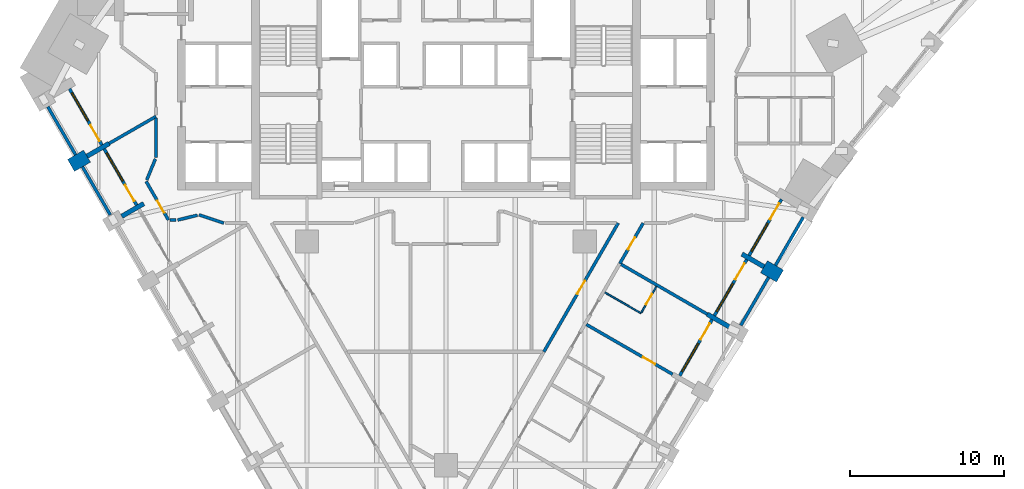
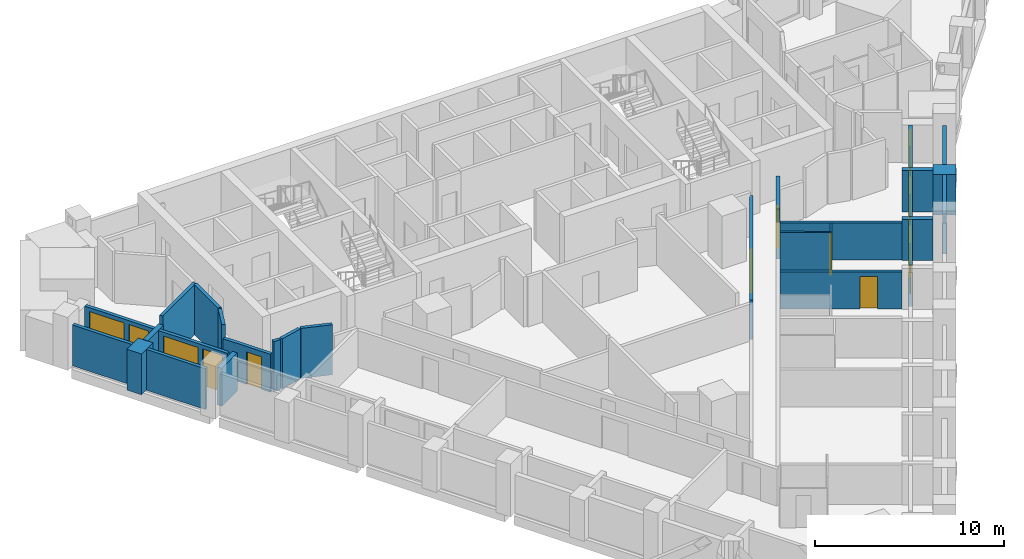
# One storey, part 5 of 11: 28 walls, 10 doors, 5 windows, 15 openings.
"""IFC4 building model written with IfcOpenShell, lengths in metres."""

import ifcopenshell
import ifcopenshell.guid

model = None  # the IFC model being written
_history = None  # IfcOwnerHistory: only IFC2X3 demands one
_inside = {}  # id of a spatial element -> (the spatial element, [elements in it])
_under = {}  # id of a project, library or spatial element -> (it, [spatial elements below it])
_declared = {}  # id of a project -> (the project, [libraries it declares])
_typed = {}  # id of a type object -> (the type object, [elements of that type])
_made_of = {}  # id of a material, layer set ... -> (it, [elements and type objects made of it])


def new_model(schema):
    """Start an empty IFC model of exactly this schema.

    Asked for "IFC4X3", IfcOpenShell would pick the latest addendum, in which some entities
    have other attributes; the version numbers below select the first issue.
    IFC2X3 requires an IfcOwnerHistory on every rooted entity: one is made here for all.
    """
    global model, _history
    if schema == "IFC4X3":
        model = ifcopenshell.file(schema_version=(4, 3, 0, 0))
    else:
        model = ifcopenshell.file(schema=schema)
    _inside.clear()
    _under.clear()
    _declared.clear()
    _typed.clear()
    _made_of.clear()
    _history = None
    if model.schema == "IFC2X3":
        org = make("IfcOrganization", Name="unknown")
        user = make(
            "IfcPersonAndOrganization",
            ThePerson=make("IfcPerson", FamilyName="unknown"),
            TheOrganization=org,
        )
        app = make(
            "IfcApplication",
            ApplicationDeveloper=org,
            Version="unknown",
            ApplicationFullName="unknown",
            ApplicationIdentifier="unknown",
        )
        _history = make(
            "IfcOwnerHistory",
            OwningUser=user,
            OwningApplication=app,
            ChangeAction="ADDED",
            CreationDate=0,
        )
    return model


def make(cls, **values):
    """One entity of the class cls with the attributes given. An attribute that is None is left unset."""
    return model.create_entity(
        cls, **{name: value for name, value in values.items() if value is not None}
    )


def rooted(cls, **values):
    """An entity with a GlobalId (a new one), such as an element, a storey or a relation."""
    return make(cls, GlobalId=ifcopenshell.guid.new(), OwnerHistory=_history, **values)


def si_unit(unit_type, name, prefix=None):
    """IfcSIUnit, for example si_unit("LENGTHUNIT", "METRE", prefix="MILLI")."""
    return make("IfcSIUnit", UnitType=unit_type, Prefix=prefix, Name=name)


def assignment(units):
    """IfcUnitAssignment: the units of a project."""
    return None if units is None else make("IfcUnitAssignment", Units=units)


def point(xyz):
    """IfcCartesianPoint."""
    return None if xyz is None else make("IfcCartesianPoint", Coordinates=xyz)


def direction(xyz):
    """IfcDirection."""
    return None if xyz is None else make("IfcDirection", DirectionRatios=xyz)


def frame(location, z_axis=None, x_axis=None):
    """IfcAxis2Placement3D, a coordinate frame: its origin and axes. An axis left out is left unset."""
    return make(
        "IfcAxis2Placement3D",
        Location=point(location),
        Axis=direction(z_axis),
        RefDirection=direction(x_axis),
    )


def frame_2d(location, x_axis=None):
    """IfcAxis2Placement2D, a coordinate frame in the plane: its origin and x axis."""
    return make(
        "IfcAxis2Placement2D", Location=point(location), RefDirection=direction(x_axis)
    )


def origin():
    """The frame at (0, 0, 0) with its axes left unset."""
    return frame((0.0, 0.0, 0.0))


def place(relative_to, where):
    """IfcLocalPlacement: puts the frame where relative to a parent placement (None: the world)."""
    return make(
        "IfcLocalPlacement", PlacementRelTo=relative_to, RelativePlacement=where
    )


def context(
    kind, dimensions, precision=None, world=None, true_north=None, identifier=None
):
    """IfcGeometricRepresentationContext, for example the 3D "Model" context."""
    return make(
        "IfcGeometricRepresentationContext",
        ContextIdentifier=identifier,
        ContextType=kind,
        CoordinateSpaceDimension=dimensions,
        Precision=precision,
        WorldCoordinateSystem=world,
        TrueNorth=true_north,
    )


def subcontext(parent, identifier, kind, view, scale=None):
    """IfcGeometricRepresentationSubContext, for example "Body" below "Model"."""
    return make(
        "IfcGeometricRepresentationSubContext",
        ContextIdentifier=identifier,
        ContextType=kind,
        ParentContext=parent,
        TargetScale=scale,
        TargetView=view,
    )


def project(units=None, contexts=None):
    """IfcProject with its units and contexts."""
    return rooted(
        "IfcProject",
        Name="project",
        RepresentationContexts=contexts,
        UnitsInContext=assignment(units),
    )


def spatial(cls, under=None, at=None, **own):
    """A site, building, storey or space (cls), placed at a placement, below another one or the project."""
    s = rooted(cls, ObjectPlacement=at, **own)
    if under is not None:
        _under.setdefault(under.id(), (under, []))[1].append(s)
    return s


def polyline(points):
    """IfcPolyline through the points."""
    return make("IfcPolyline", Points=[point(p) for p in points])


def profile(cls, at=None, kind="AREA", **sizes):
    """A parametric profile (cls). Its sizes go by their IFC names, for example OverallWidth=200.0."""
    return make(cls, ProfileType=kind, Position=at, **sizes)


def rectangle(**sizes):
    """IfcRectangleProfileDef."""
    return profile("IfcRectangleProfileDef", **sizes)


def outline(outer, holes=None, kind="AREA"):
    """IfcArbitraryClosedProfileDef: a profile drawn as a closed curve; with holes, ...WithVoids."""
    if holes is None:
        return make("IfcArbitraryClosedProfileDef", ProfileType=kind, OuterCurve=outer)
    return make(
        "IfcArbitraryProfileDefWithVoids",
        ProfileType=kind,
        OuterCurve=outer,
        InnerCurves=holes,
    )


def extrude(swept, where, along, depth):
    """IfcExtrudedAreaSolid: the profile swept, set in the frame where, extruded along a direction by depth."""
    return make(
        "IfcExtrudedAreaSolid",
        SweptArea=swept,
        Position=where,
        ExtrudedDirection=direction(along),
        Depth=depth,
    )


def shape(context_of_items, identifier, shape_type, items):
    """IfcShapeRepresentation: the items that make up one representation, for example the "Body"."""
    return make(
        "IfcShapeRepresentation",
        ContextOfItems=context_of_items,
        RepresentationIdentifier=identifier,
        RepresentationType=shape_type,
        Items=items,
    )


def material(Name=None, Category=None):
    """IfcMaterial."""
    return make("IfcMaterial", Name=Name, Category=Category)


def layer(
    of_material, thickness, ventilated=None, Name=None, Category=None, Priority=None
):
    """IfcMaterialLayer: one layer of a wall or slab, of a material (None: an air gap)."""
    return make(
        "IfcMaterialLayer",
        Material=of_material,
        LayerThickness=thickness,
        IsVentilated=ventilated,
        Name=Name,
        Category=Category,
        Priority=Priority,
    )


def layer_set(layers, Name=None):
    """IfcMaterialLayerSet."""
    return make("IfcMaterialLayerSet", MaterialLayers=layers, LayerSetName=Name)


def made_of(thing, what):
    """Note that an element or type object is made of a material, layer set ...; save() writes the relation."""
    if what is not None:
        _made_of.setdefault(what.id(), (what, []))[1].append(thing)
    return thing


def type_object(cls, material=None, **own):
    """A type object (cls), such as IfcWallType, which elements share."""
    return made_of(rooted(cls, **own), material)


def element(
    cls,
    number,
    at=None,
    inside=None,
    cuts=None,
    type_object=None,
    material=None,
    context=None,
    identifier="Body",
    shape_type=None,
    held_by="IfcProductDefinitionShape",
    body=None,
    shapes=None,
    **own,
):
    """One element of the class cls, such as IfcWall. Its Tag is "e" and its number.

    at: its placement. inside: the storey or other place that contains it. cuts: it is an
    opening in that element (IfcRelVoidsElement). A single representation is given by context,
    identifier, shape_type and body (its items); several are given by shapes. held_by: the class
    of the entity that holds the representations. save() writes the other relations.
    """
    e = rooted(cls, Tag="e%d" % number, ObjectPlacement=at, **own)
    if body is not None:
        shapes = [shape(context, identifier, shape_type, body)]
    if shapes is not None:
        e.Representation = make(held_by, Representations=shapes)
    if inside is not None:
        _inside.setdefault(inside.id(), (inside, []))[1].append(e)
    if cuts is not None:
        rooted(
            "IfcRelVoidsElement", RelatingBuildingElement=cuts, RelatedOpeningElement=e
        )
    if type_object is not None:
        _typed.setdefault(type_object.id(), (type_object, []))[1].append(e)
    return made_of(e, material)


def fill(opening, filler):
    """IfcRelFillsElement: the door or window that sits in an opening."""
    return rooted(
        "IfcRelFillsElement",
        RelatingOpeningElement=opening,
        RelatedBuildingElement=filler,
    )


def aggregate(whole, parts):
    """IfcRelAggregates: a whole, such as a stair, and the parts it consists of."""
    return rooted("IfcRelAggregates", RelatingObject=whole, RelatedObjects=parts)


def save(model, path):
    """Write the relations noted so far, then the file.

    IfcRelAggregates (storeys below a building ...), IfcRelContainedInSpatialStructure (elements
    in a storey), IfcRelDefinesByType, IfcRelAssociatesMaterial and IfcRelDeclares: one each for
    every whole, place, type object, material and project.
    """
    for whole, parts in _under.values():
        aggregate(whole, parts)
    for where, things in _inside.values():
        rooted(
            "IfcRelContainedInSpatialStructure",
            RelatedElements=things,
            RelatingStructure=where,
        )
    for kind, things in _typed.values():
        rooted("IfcRelDefinesByType", RelatedObjects=things, RelatingType=kind)
    for what, things in _made_of.values():
        rooted("IfcRelAssociatesMaterial", RelatedObjects=things, RelatingMaterial=what)
    for by, libraries in _declared.values():
        rooted("IfcRelDeclares", RelatingContext=by, RelatedDefinitions=libraries)
    model.write(path)


model = new_model("IFC4")

# Units and contexts
model_context = context("Model", 3, precision=1e-05, world=origin(), true_north=direction((0.0, 1.0)))
body_context = subcontext(model_context, "Body", "Model", "MODEL_VIEW")
ifc_project = project(units=[si_unit("LENGTHUNIT", "METRE"), si_unit("AREAUNIT", "SQUARE_METRE"), si_unit("VOLUMEUNIT", "CUBIC_METRE"), si_unit("PLANEANGLEUNIT", "RADIAN"), si_unit("MASSUNIT", "GRAM", prefix="KILO")], contexts=[model_context])

# Site, building, storey
site_placement = place(None, origin())
site = spatial("IfcSite", under=ifc_project, at=site_placement, CompositionType="ELEMENT")
building_placement = place(site_placement, origin())
building = spatial("IfcBuilding", under=site, at=building_placement, Name="Calabash Gate Tower", CompositionType="ELEMENT")
storey_placement = place(building_placement, frame((0.0, 0.0, 119.0)))
storey = spatial("IfcBuildingStorey", under=building, at=storey_placement, Name="L27", CompositionType="ELEMENT", Elevation=119.0)

# Walls
ifc_material_1 = material(Name="Terracotta brick masonry, exposed face", Category="masonry")
ifc_layer_1 = layer(ifc_material_1, 1.199951171875)
ifc_layer_set_1 = layer_set([ifc_layer_1], Name="Brick end wall 1200")
wall_type_1 = type_object("IfcWallType", Name="Brick end wall 1200", PredefinedType="SOLIDWALL", material=ifc_layer_set_1)
for number, where, z_axis, x_axis, name in (
    (1, (-24.30859375, 7.43896484375, 0.0), (0.0, 0.0, 1.0), (0.865955154139, 0.50012165622, 0.0), "Brick pier S07 SW0.1"),
    (2, (21.656494140625, 0.27197265625, 0.0), (0.0, 0.0, 1.0), (-0.866094119867, 0.499880961361, 0.0), "Brick pier S07 SE2.7"),
):
    element("IfcWall", number, at=place(storey_placement, frame(where, z_axis=z_axis, x_axis=x_axis)), inside=storey, type_object=wall_type_1, Name=name, PredefinedType="SOLIDWALL", context=body_context, shape_type="SweptSolid", body=[
        extrude(rectangle(XDim=1.199951171875, YDim=0.89990234375, at=frame_2d((0.60009765625, 0.0))), origin(), (0.0, 0.0, 1.0), 2.6298828125),
    ])
ifc_material_2 = material(Name="Terracotta brick masonry, exposed face", Category="masonry")
ifc_layer_2 = layer(ifc_material_2, 0.300048828125)
ifc_layer_set_2 = layer_set([ifc_layer_2], Name="Brick loggia cheek wall 300")
wall_type_2 = type_object("IfcWallType", Name="Brick loggia cheek wall 300", PredefinedType="SOLIDWALL", material=ifc_layer_set_2)
wall_1_placement = place(storey_placement, frame((-23.26953125, 8.0390625, 0.0), z_axis=(0.0, 0.0, 1.0), x_axis=(0.866040211805, 0.499974350878, 0.0)))
element("IfcWall", 3, at=wall_1_placement, inside=storey, type_object=wall_type_2, Name="Loggia cheek S07 SW0.1", PredefinedType="SOLIDWALL", context=body_context, shape_type="SweptSolid", body=[
    extrude(rectangle(XDim=1.64990234375, YDim=0.300048828125, at=frame_2d((0.824951171875, 0.0))), origin(), (0.0, 0.0, 1.0), 2.64990234375),
])
wall_2_placement = place(storey_placement, frame((-21.019287109375, 4.141845703125, 0.0), z_axis=(0.0, 0.0, 1.0), x_axis=(0.866003217194, 0.500038426333, 0.0)))
element("IfcWall", 4, at=wall_2_placement, inside=storey, type_object=wall_type_2, Name="Loggia cheek S07 SW0.2", PredefinedType="SOLIDWALL", context=body_context, shape_type="SweptSolid", body=[
    extrude(rectangle(XDim=1.649658203125, YDim=0.300048828125, at=frame_2d((0.82470703125, 0.0))), origin(), (0.0, 0.0, 1.0), 2.4501953125),
])
wall_3_placement = place(storey_placement, frame((18.366455078125, -3.024658203125, 0.0), z_axis=(0.0, 0.0, 1.0), x_axis=(-0.866057395165, 0.499944585209, 0.0)))
element("IfcWall", 5, at=wall_3_placement, inside=storey, type_object=wall_type_2, Name="Loggia cheek S07 SE2.6", PredefinedType="SOLIDWALL", context=body_context, shape_type="SweptSolid", body=[
    extrude(rectangle(XDim=1.649169921875, YDim=0.300048828125, at=frame_2d((0.82470703125, 0.0))), origin(), (0.0, 0.0, 1.0), 2.64990234375),
])
wall_4_placement = place(storey_placement, frame((20.6171875, 0.871826171875, 0.0), z_axis=(0.0, 0.0, 1.0), x_axis=(-0.866040211805, 0.499974350878, 0.0)))
element("IfcWall", 6, at=wall_4_placement, inside=storey, type_object=wall_type_2, Name="Loggia cheek S07 SE2.7", PredefinedType="SOLIDWALL", context=body_context, shape_type="SweptSolid", body=[
    extrude(rectangle(XDim=1.64990234375, YDim=0.300048828125, at=frame_2d((0.824951171875, 0.0))), origin(), (0.0, 0.0, 1.0), 2.64990234375),
])

# Wall, opening, door
ifc_material_3 = material(Name="Gypsum board on steel studs, mineral wool", Category="steel")
ifc_layer_3 = layer(ifc_material_3, 0.10009765625)
ifc_layer_set_3 = layer_set([ifc_layer_3], Name="Partition 100 gypsum board")
wall_type_3 = type_object("IfcWallType", Name="Partition 100 gypsum board", PredefinedType="PARTITIONING", material=ifc_layer_set_3)
wall_5_placement = place(storey_placement, frame((12.665771484375, -2.1005859375, 0.0), z_axis=(0.0, 0.0, 1.0), x_axis=(0.49995005938, 0.866054235095, 0.0)))
wall_5 = element("IfcWall", 7, at=wall_5_placement, inside=storey, type_object=wall_type_3, Name="Partition", PredefinedType="PARTITIONING", context=body_context, shape_type="SweptSolid", body=[
    extrude(rectangle(XDim=1.949951171875, YDim=0.10009765625, at=frame_2d((0.97509765625, 0.0))), origin(), (0.0, 0.0, 1.0), 2.384033203125),
])
opening_1_placement = place(wall_5_placement, frame((0.60009765625, 0.0, 0.0)))
opening_1 = element("IfcOpeningElement", 8, at=opening_1_placement, cuts=wall_5, Name="Opening 25-27-009", PredefinedType="OPENING", context=body_context, shape_type="SweptSolid", body=[
    extrude(rectangle(XDim=0.800048828125, YDim=2.10009765625, at=frame_2d((0.39990234375, 1.050048828125))), frame((0.0, 0.06005859375, 0.0), z_axis=(0.0, -1.0, 0.0), x_axis=(1.0, 0.0, 0.0)), (0.0, 0.0, 1.0), 0.1201171875),
])
ifc_material_4 = material(Name="Painted timber door", Category="wood")
door_type_1 = type_object("IfcDoorType", Name="GD5 En-suite door 800x2100", OperationType="NOTDEFINED", PredefinedType="DOOR", material=ifc_material_4)
door_1_placement = place(opening_1_placement, origin())
door_1 = element("IfcDoor", 9, at=door_1_placement, inside=storey, type_object=door_type_1, Name="En-suite door", OperationType="SINGLE_SWING_RIGHT", OverallHeight=2.10009765625, OverallWidth=0.800048828125, PredefinedType="DOOR", context=body_context, shape_type="SweptSolid", body=[
    extrude(rectangle(XDim=0.800048828125, YDim=2.10009765625, at=frame_2d((0.39990234375, 1.050048828125))), frame((0.0, 0.02490234375, 0.0), z_axis=(0.0, -1.0, 0.0), x_axis=(1.0, 0.0, 0.0)), (0.0, 0.0, 1.0), 0.050048828125),
])
fill(opening_1, door_1)

# Wall
wall_6_placement = place(storey_placement, frame((10.303466796875, -0.79248046875, 0.0), z_axis=(0.0, 0.0, 1.0), x_axis=(0.86571095196, -0.500544251447, 0.0)))
element("IfcWall", 10, at=wall_6_placement, inside=storey, type_object=wall_type_3, Name="Partition", PredefinedType="PARTITIONING", context=body_context, shape_type="SweptSolid", body=[
    extrude(rectangle(XDim=2.69970703125, YDim=0.10009765625, at=frame_2d((1.349853515625, 0.0))), origin(), (0.0, 0.0, 1.0), 3.22998046875),
])

# Wall, opening, door
ifc_material_5 = material(Name="Gypsum board on steel studs, mineral wool", Category="steel")
ifc_layer_4 = layer(ifc_material_5, 0.199951171875)
ifc_layer_set_4 = layer_set([ifc_layer_4], Name="Partition 200 gypsum board EI 60")
wall_type_4 = type_object("IfcWallType", Name="Partition 200 gypsum board EI 60", PredefinedType="PARTITIONING", material=ifc_layer_set_4)
wall_7_placement = place(storey_placement, frame((6.347900390625, -4.639404296875, 0.0), z_axis=(0.0, 0.0, 1.0), x_axis=(0.500160597015, 0.865932663198, 0.0)))
wall_7 = element("IfcWall", 11, at=wall_7_placement, inside=storey, type_object=wall_type_4, Name="Partition", PredefinedType="PARTITIONING", context=body_context, shape_type="SweptSolid", body=[
    extrude(rectangle(XDim=9.630126953125, YDim=0.199951171875, at=frame_2d((4.81494140625, 0.0))), origin(), (0.0, 0.0, 1.0), 2.552001953125),
])
opening_2_placement = place(wall_7_placement, frame((4.314697265625, 0.0, 0.0)))
opening_2 = element("IfcOpeningElement", 12, at=opening_2_placement, cuts=wall_7, Name="Opening 25-27-013", PredefinedType="OPENING", context=body_context, shape_type="SweptSolid", body=[
    extrude(rectangle(XDim=1.0, YDim=2.10009765625, at=frame_2d((0.5, 1.050048828125))), frame((0.0, 0.10986328125, 0.0), z_axis=(0.0, -1.0, 0.0), x_axis=(1.0, 0.0, 0.0)), (0.0, 0.0, 1.0), 0.219970703125),
])
ifc_material_6 = material(Name="Steel fire door set with fire-resisting glazing", Category="steel")
door_type_2 = type_object("IfcDoorType", Name="LD2 Meeting room door 1000x2100", OperationType="NOTDEFINED", PredefinedType="DOOR", material=ifc_material_6)
door_2_placement = place(opening_2_placement, origin())
door_2 = element("IfcDoor", 13, at=door_2_placement, inside=storey, type_object=door_type_2, Name="Meeting room door", OperationType="SINGLE_SWING_LEFT", OverallHeight=2.10009765625, OverallWidth=1.0, PredefinedType="DOOR", context=body_context, shape_type="SweptSolid", body=[
    extrude(rectangle(XDim=1.0, YDim=2.10009765625, at=frame_2d((0.5, 1.050048828125))), frame((0.0, 0.02490234375, 0.0), z_axis=(0.0, -1.0, 0.0), x_axis=(1.0, 0.0, 0.0)), (0.0, 0.0, 1.0), 0.050048828125),
])
fill(opening_2, door_2)

wall_8_placement = place(storey_placement, frame((9.103515625, -2.870849609375, 0.0), z_axis=(0.0, 0.0, 1.0), x_axis=(0.865901871826, -0.500213902613, 0.0)))
wall_8 = element("IfcWall", 14, at=wall_8_placement, inside=storey, type_object=wall_type_4, Name="Partition", PredefinedType="PARTITIONING", context=body_context, shape_type="SweptSolid", body=[
    extrude(rectangle(XDim=6.449951171875, YDim=0.199951171875, at=frame_2d((3.22509765625, 0.0))), origin(), (0.0, 0.0, 1.0), 2.384033203125),
])
opening_3_placement = place(wall_8_placement, frame((4.249755859375, 0.0, 0.0)))
opening_3 = element("IfcOpeningElement", 15, at=opening_3_placement, cuts=wall_8, Name="Opening 25-27-010", PredefinedType="OPENING", context=body_context, shape_type="SweptSolid", body=[
    extrude(rectangle(XDim=0.89990234375, YDim=2.10009765625, at=frame_2d((0.449951171875, 1.050048828125))), frame((0.0, 0.10986328125, 0.0), z_axis=(0.0, -1.0, 0.0), x_axis=(1.0, 0.0, 0.0)), (0.0, 0.0, 1.0), 0.219970703125),
])
ifc_material_7 = material(Name="Steel fire door set with fire-resisting glazing", Category="steel")
door_type_3 = type_object("IfcDoorType", Name="GD4 Connecting door 900x2100", OperationType="NOTDEFINED", PredefinedType="DOOR", material=ifc_material_7)
door_3_placement = place(opening_3_placement, origin())
door_3 = element("IfcDoor", 16, at=door_3_placement, inside=storey, type_object=door_type_3, Name="Connecting door", OperationType="SINGLE_SWING_RIGHT", OverallHeight=2.10009765625, OverallWidth=0.89990234375, PredefinedType="DOOR", context=body_context, shape_type="SweptSolid", body=[
    extrude(rectangle(XDim=0.89990234375, YDim=2.10009765625, at=frame_2d((0.449951171875, 1.050048828125))), frame((0.0, 0.02490234375, 0.0), z_axis=(0.0, -1.0, 0.0), x_axis=(1.0, 0.0, 0.0)), (0.0, 0.0, 1.0), 0.050048828125),
])
fill(opening_3, door_3)

# Walls
wall_9_placement = place(storey_placement, frame((11.355224609375, 1.025390625, 0.0), z_axis=(0.0, 0.0, 1.0), x_axis=(0.865748417306, -0.500479448062, 0.0)))
element("IfcWall", 17, at=wall_9_placement, inside=storey, type_object=wall_type_4, Name="Partition", PredefinedType="PARTITIONING", context=body_context, shape_type="SweptSolid", body=[
    extrude(rectangle(XDim=6.447998046875, YDim=0.199951171875, at=frame_2d((3.22412109375, 0.0))), origin(), (0.0, 0.0, 1.0), 2.384033203125),
])
wall_10_placement = place(storey_placement, frame((-16.01611328125, 4.23828125, 0.0), z_axis=(0.0, 0.0, 1.0), x_axis=(0.948654629562, -0.31631375849, 0.0)))
element("IfcWall", 18, at=wall_10_placement, inside=storey, type_object=wall_type_4, Name="Partition", PredefinedType="PARTITIONING", context=body_context, shape_type="SweptSolid", body=[
    extrude(rectangle(XDim=1.703369140625, YDim=0.199951171875, at=frame_2d((0.8515625, 0.0))), origin(), (0.0, 0.0, 1.0), 3.22998046875),
])

# Wall, opening, door
wall_11_placement = place(storey_placement, frame((11.2685546875, 1.075439453125, 0.0), z_axis=(0.0, 0.0, 1.0), x_axis=(0.499554983499, 0.866282181775, 0.0)))
wall_11 = element("IfcWall", 19, at=wall_11_placement, inside=storey, type_object=wall_type_4, Name="Partition", PredefinedType="PARTITIONING", context=body_context, shape_type="SweptSolid", body=[
    extrude(rectangle(XDim=3.029052734375, YDim=0.199951171875, at=frame_2d((1.5146484375, 0.0))), origin(), (0.0, 0.0, 1.0), 3.22998046875),
])
opening_4_placement = place(wall_11_placement, frame((1.063720703125, 0.0, 0.0)))
opening_4 = element("IfcOpeningElement", 20, at=opening_4_placement, cuts=wall_11, Name="Opening 25-27-025", PredefinedType="OPENING", context=body_context, shape_type="SweptSolid", body=[
    extrude(rectangle(XDim=0.89990234375, YDim=2.10009765625, at=frame_2d((0.449951171875, 1.050048828125))), frame((0.0, 0.10986328125, 0.0), z_axis=(0.0, -1.0, 0.0), x_axis=(1.0, 0.0, 0.0)), (0.0, 0.0, 1.0), 0.219970703125),
])
ifc_material_8 = material(Name="Steel fire door set with fire-resisting glazing", Category="steel")
door_type_4 = type_object("IfcDoorType", Name="SD3 Store door 900x2100", OperationType="NOTDEFINED", PredefinedType="DOOR", material=ifc_material_8)
door_4_placement = place(opening_4_placement, origin())
door_4 = element("IfcDoor", 21, at=door_4_placement, inside=storey, type_object=door_type_4, Name="Store door", OperationType="SINGLE_SWING_RIGHT", OverallHeight=2.10009765625, OverallWidth=0.89990234375, PredefinedType="DOOR", context=body_context, shape_type="SweptSolid", body=[
    extrude(rectangle(XDim=0.89990234375, YDim=2.10009765625, at=frame_2d((0.449951171875, 1.050048828125))), frame((0.0, 0.02490234375, 0.0), z_axis=(0.0, -1.0, 0.0), x_axis=(1.0, 0.0, 0.0)), (0.0, 0.0, 1.0), 0.050048828125),
])
fill(opening_4, door_4)

wall_12_placement = place(storey_placement, frame((-19.438720703125, 6.403076171875, 0.0), z_axis=(0.0, 0.0, 1.0), x_axis=(0.500017289984, -0.866015421177, 0.0)))
wall_12 = element("IfcWall", 22, at=wall_12_placement, inside=storey, type_object=wall_type_4, Name="Partition", PredefinedType="PARTITIONING", context=body_context, shape_type="SweptSolid", body=[
    extrude(rectangle(XDim=2.89111328125, YDim=0.199951171875, at=frame_2d((1.445556640625, 0.0))), origin(), (0.0, 0.0, 1.0), 2.4501953125),
])
opening_5_placement = place(wall_12_placement, frame((1.445556640625, 0.0, 0.0)))
opening_5 = element("IfcOpeningElement", 23, at=opening_5_placement, cuts=wall_12, Name="Opening 25-27-023", PredefinedType="OPENING", context=body_context, shape_type="SweptSolid", body=[
    extrude(rectangle(XDim=0.89990234375, YDim=2.10009765625, at=frame_2d((0.449951171875, 1.050048828125))), frame((0.0, 0.10986328125, 0.0), z_axis=(0.0, -1.0, 0.0), x_axis=(1.0, 0.0, 0.0)), (0.0, 0.0, 1.0), 0.219970703125),
])
door_5_placement = place(opening_5_placement, origin())
door_5 = element("IfcDoor", 24, at=door_5_placement, inside=storey, type_object=door_type_4, Name="Store door", OperationType="SINGLE_SWING_RIGHT", OverallHeight=2.10009765625, OverallWidth=0.89990234375, PredefinedType="DOOR", context=body_context, shape_type="SweptSolid", body=[
    extrude(rectangle(XDim=0.89990234375, YDim=2.10009765625, at=frame_2d((0.449951171875, 1.050048828125))), frame((0.0, 0.02490234375, 0.0), z_axis=(0.0, -1.0, 0.0), x_axis=(1.0, 0.0, 0.0)), (0.0, 0.0, 1.0), 0.050048828125),
])
fill(opening_5, door_5)

# Walls
wall_13_placement = place(storey_placement, frame((-17.893310546875, 3.8994140625, 0.0), z_axis=(0.0, 0.0, 1.0), x_axis=(1.0, 0.0, 0.0)))
element("IfcWall", 25, at=wall_13_placement, inside=storey, type_object=wall_type_4, Name="Partition", PredefinedType="PARTITIONING", context=body_context, shape_type="SweptSolid", body=[
    extrude(rectangle(XDim=0.393310546875, YDim=0.199951171875, at=frame_2d((0.19677734375, 0.0))), origin(), (0.0, 0.0, 1.0), 3.22998046875),
])
wall_14_placement = place(storey_placement, frame((-17.39990234375, 3.8994140625, 0.0), z_axis=(0.0, 0.0, 1.0), x_axis=(0.971323377413, 0.237762268854, 0.0)))
element("IfcWall", 26, at=wall_14_placement, inside=storey, type_object=wall_type_4, Name="Partition", PredefinedType="PARTITIONING", context=body_context, shape_type="SweptSolid", body=[
    extrude(rectangle(XDim=1.32470703125, YDim=0.199951171875, at=frame_2d((0.662353515625, 0.0))), origin(), (0.0, 0.0, 1.0), 3.22998046875),
])
wall_15_placement = place(storey_placement, frame((-19.400390625, 6.49560546875, 0.0), z_axis=(0.0, 0.0, 1.0), x_axis=(0.380699876076, 0.924698655971, 0.0)))
element("IfcWall", 27, at=wall_15_placement, inside=storey, type_object=wall_type_4, Name="Partition", PredefinedType="PARTITIONING", context=body_context, shape_type="SweptSolid", body=[
    extrude(rectangle(XDim=1.4755859375, YDim=0.199951171875, at=frame_2d((0.73779296875, 0.0))), origin(), (0.0, 0.0, 1.0), 3.22998046875),
])
wall_16_placement = place(storey_placement, frame((-18.802001953125, 10.51806640625, 0.0), z_axis=(0.0, 0.0, 1.0), x_axis=(0.000570993436, -0.999999836983, 0.0)))
element("IfcWall", 28, at=wall_16_placement, inside=storey, type_object=wall_type_4, Name="Partition", PredefinedType="PARTITIONING", context=body_context, shape_type="SweptSolid", body=[
    extrude(rectangle(XDim=2.5654296875, YDim=0.199951171875, at=frame_2d((1.28271484375, 0.0))), origin(), (0.0, 0.0, 1.0), 3.22998046875),
])
wall_17_placement = place(storey_placement, frame((-21.84033203125, 8.86376953125, 0.0), z_axis=(0.0, 0.0, 1.0), x_axis=(0.866284025074, 0.499551787007, 0.0)))
element("IfcWall", 29, at=wall_17_placement, inside=storey, type_object=wall_type_4, Name="Partition", PredefinedType="PARTITIONING", context=body_context, shape_type="SweptSolid", body=[
    extrude(rectangle(XDim=3.509033203125, YDim=0.199951171875, at=frame_2d((1.75439453125, 0.0))), origin(), (0.0, 0.0, 1.0), 3.22998046875),
])
ifc_material_9 = material(Name="Terracotta brick masonry, perforated", Category="masonry")
ifc_layer_5 = layer(ifc_material_9, 0.199951171875)
ifc_layer_set_5 = layer_set([ifc_layer_5], Name="Terracotta jaali screen A")
wall_type_5 = type_object("IfcWallType", Name="Terracotta jaali screen A", PredefinedType="SOLIDWALL", material=ifc_layer_set_5)
for number, where, z_axis, x_axis, name in (
    (30, (-25.81396484375, 11.246337890625, 0.0), (0.0, 0.0, 1.0), (0.500012057535, -0.866018442252, 0.0), "SCREEN A S07 SW0.1"),
    (31, (-23.56396484375, 7.34912109375, 0.0), (0.0, 0.0, 1.0), (0.500012057535, -0.866018442252, 0.0), "SCREEN A S07 SW0.2"),
):
    element("IfcWall", number, at=place(storey_placement, frame(where, z_axis=z_axis, x_axis=x_axis)), inside=storey, type_object=wall_type_5, Name=name, PredefinedType="SOLIDWALL", context=body_context, shape_type="SweptSolid", body=[
        extrude(rectangle(XDim=3.60009765625, YDim=0.199951171875, at=frame_2d((1.800048828125, 0.0))), origin(), (0.0, 0.0, 1.0), 2.6298828125),
    ])
wall_18_placement = place(storey_placement, origin())
element("IfcWall", 32, at=wall_18_placement, inside=storey, type_object=wall_type_5, Name="SCREEN A S07 SE2.7", PredefinedType="SOLIDWALL", context=body_context, shape_type="SweptSolid", body=[
    extrude(outline(polyline([(20.8251953125, 0.232177734375), (19.0263671875, -2.8837890625), (19.199462890625, -2.98388671875), (20.99853515625, 0.132080078125), (20.8251953125, 0.232177734375)])), origin(), (0.0, 0.0, 1.0), 2.6298828125),
])
wall_19_placement = place(storey_placement, frame((21.36181640625, 0.961669921875, 0.0), z_axis=(0.0, 0.0, 1.0), x_axis=(0.500012057535, 0.866018442252, 0.0)))
element("IfcWall", 33, at=wall_19_placement, inside=storey, type_object=wall_type_5, Name="SCREEN A S07 SE2.8", PredefinedType="SOLIDWALL", context=body_context, shape_type="SweptSolid", body=[
    extrude(rectangle(XDim=3.60009765625, YDim=0.199951171875, at=frame_2d((1.800048828125, 0.0))), origin(), (0.0, 0.0, 1.0), 2.6298828125),
])

# Wall, openings, door, window
ifc_material_10 = material(Name="Aluminium framed window wall with insulated spandrel", Category="aluminium")
ifc_layer_6 = layer(ifc_material_10, 0.199951171875)
ifc_layer_set_6 = layer_set([ifc_layer_6], Name="Window wall 200")
wall_type_6 = type_object("IfcWallType", Name="Window wall 200", PredefinedType="ELEMENTEDWALL", material=ifc_layer_set_6)
wall_20_placement = place(storey_placement, frame((-24.4052734375, 12.40625, 0.0), z_axis=(0.0, 0.0, 1.0), x_axis=(0.500002543286, -0.866023935413, 0.0)))
wall_20 = element("IfcWall", 34, at=wall_20_placement, inside=storey, type_object=wall_type_6, Name="Window wall S07 SW0.1", PredefinedType="ELEMENTEDWALL", context=body_context, shape_type="SweptSolid", body=[
    extrude(rectangle(XDim=4.2001953125, YDim=0.199951171875, at=frame_2d((2.10009765625, 0.0))), origin(), (0.0, 0.0, 1.0), 2.64990234375),
])
opening_6_placement = place(wall_20_placement, frame((0.300048828125, 0.0, 0.60009765625)))
opening_6 = element("IfcOpeningElement", 35, at=opening_6_placement, cuts=wall_20, Name="Opening HW1", PredefinedType="OPENING", context=body_context, shape_type="SweptSolid", body=[
    extrude(rectangle(XDim=2.10009765625, YDim=1.800048828125, at=frame_2d((1.050048828125, 0.89990234375))), frame((0.0, 0.10986328125, 0.0), z_axis=(0.0, -1.0, 0.0), x_axis=(1.0, 0.0, 0.0)), (0.0, 0.0, 1.0), 0.219970703125),
])
opening_7_placement = place(wall_20_placement, frame((2.699951171875, 0.0, 0.0)))
opening_7 = element("IfcOpeningElement", 36, at=opening_7_placement, cuts=wall_20, Name="Opening H7-024", PredefinedType="OPENING", context=body_context, shape_type="SweptSolid", body=[
    extrude(rectangle(XDim=1.199951171875, YDim=2.39990234375, at=frame_2d((0.60009765625, 1.199951171875))), frame((0.0, 0.10986328125, 0.0), z_axis=(0.0, -1.0, 0.0), x_axis=(1.0, 0.0, 0.0)), (0.0, 0.0, 1.0), 0.219970703125),
])
ifc_material_11 = material(Name="Anodised aluminium frame, bronze finish, impact-rated laminated clear glazing", Category="aluminium")
door_type_5 = type_object("IfcDoorType", Name="Loggia door DH1 1200x2400", OperationType="SLIDING_TO_LEFT", PredefinedType="DOOR", material=ifc_material_11)
door_6_placement = place(opening_7_placement, origin())
door_6 = element("IfcDoor", 37, at=door_6_placement, inside=storey, type_object=door_type_5, Name="Loggia door S07 SW0.1", OperationType="SINGLE_SWING_LEFT", OverallHeight=2.39990234375, OverallWidth=1.199951171875, PredefinedType="DOOR", context=body_context, shape_type="SweptSolid", body=[
    extrude(rectangle(XDim=1.199951171875, YDim=2.39990234375, at=frame_2d((0.60009765625, 1.199951171875))), frame((0.0, 0.02490234375, 0.0), z_axis=(0.0, -1.0, 0.0), x_axis=(1.0, 0.0, 0.0)), (0.0, 0.0, 1.0), 0.050048828125),
])
fill(opening_7, door_6)
ifc_material_12 = material(Name="Anodised aluminium frame, bronze finish, impact-rated laminated clear glazing", Category="aluminium")
window_type_1 = type_object("IfcWindowType", Name="Window HW1 2100x1800", PartitioningType="DOUBLE_PANEL_VERTICAL", PredefinedType="WINDOW", material=ifc_material_12)
window_1_placement = place(opening_6_placement, origin())
window_1 = element("IfcWindow", 38, at=window_1_placement, inside=storey, type_object=window_type_1, Name="Window HW1 S07 SW0.1", OverallHeight=1.800048828125, OverallWidth=2.10009765625, PartitioningType="SINGLE_PANEL", PredefinedType="WINDOW", context=body_context, shape_type="SweptSolid", body=[
    extrude(rectangle(XDim=2.10009765625, YDim=1.800048828125, at=frame_2d((1.050048828125, 0.89990234375))), frame((0.0, 0.030029296875, 0.0), z_axis=(0.0, -1.0, 0.0), x_axis=(1.0, 0.0, 0.0)), (0.0, 0.0, 1.0), 0.06005859375),
])
fill(opening_6, window_1)

wall_21_placement = place(storey_placement, frame((-22.1552734375, 8.509033203125, 0.0), z_axis=(0.0, 0.0, 1.0), x_axis=(0.500027713859, -0.866009402589, 0.0)))
wall_21 = element("IfcWall", 39, at=wall_21_placement, inside=storey, type_object=wall_type_6, Name="Window wall S07 SW0.2", PredefinedType="ELEMENTEDWALL", context=body_context, shape_type="SweptSolid", body=[
    extrude(rectangle(XDim=4.199951171875, YDim=0.199951171875, at=frame_2d((2.10009765625, 0.0))), origin(), (0.0, 0.0, 1.0), 2.64990234375),
])
opening_8_placement = place(wall_21_placement, frame((0.300048828125, 0.0, 0.60009765625)))
opening_8 = element("IfcOpeningElement", 40, at=opening_8_placement, cuts=wall_21, Name="Opening HW1", PredefinedType="OPENING", context=body_context, shape_type="SweptSolid", body=[
    extrude(rectangle(XDim=2.10009765625, YDim=1.800048828125, at=frame_2d((1.050048828125, 0.89990234375))), frame((0.0, 0.10986328125, 0.0), z_axis=(0.0, -1.0, 0.0), x_axis=(1.0, 0.0, 0.0)), (0.0, 0.0, 1.0), 0.219970703125),
])
opening_9_placement = place(wall_21_placement, frame((2.699951171875, 0.0, 0.0)))
opening_9 = element("IfcOpeningElement", 41, at=opening_9_placement, cuts=wall_21, Name="Opening H7-025", PredefinedType="OPENING", context=body_context, shape_type="SweptSolid", body=[
    extrude(rectangle(XDim=1.199951171875, YDim=2.39990234375, at=frame_2d((0.60009765625, 1.199951171875))), frame((0.0, 0.10986328125, 0.0), z_axis=(0.0, -1.0, 0.0), x_axis=(1.0, 0.0, 0.0)), (0.0, 0.0, 1.0), 0.219970703125),
])
door_7_placement = place(opening_9_placement, origin())
door_7 = element("IfcDoor", 42, at=door_7_placement, inside=storey, type_object=door_type_5, Name="Loggia door S07 SW0.2", OperationType="SINGLE_SWING_LEFT", OverallHeight=2.39990234375, OverallWidth=1.199951171875, PredefinedType="DOOR", context=body_context, shape_type="SweptSolid", body=[
    extrude(rectangle(XDim=1.199951171875, YDim=2.39990234375, at=frame_2d((0.60009765625, 1.199951171875))), frame((0.0, 0.02490234375, 0.0), z_axis=(0.0, -1.0, 0.0), x_axis=(1.0, 0.0, 0.0)), (0.0, 0.0, 1.0), 0.050048828125),
])
fill(opening_9, door_7)
window_2_placement = place(opening_8_placement, origin())
window_2 = element("IfcWindow", 43, at=window_2_placement, inside=storey, type_object=window_type_1, Name="Window HW1 S07 SW0.2", OverallHeight=1.800048828125, OverallWidth=2.10009765625, PartitioningType="SINGLE_PANEL", PredefinedType="WINDOW", context=body_context, shape_type="SweptSolid", body=[
    extrude(rectangle(XDim=2.10009765625, YDim=1.800048828125, at=frame_2d((1.050048828125, 0.89990234375))), frame((0.0, 0.030029296875, 0.0), z_axis=(0.0, -1.0, 0.0), x_axis=(1.0, 0.0, 0.0)), (0.0, 0.0, 1.0), 0.06005859375),
])
fill(opening_8, window_2)

wall_22_placement = place(storey_placement, frame((15.153076171875, -6.1923828125, 0.0), z_axis=(0.0, 0.0, 1.0), x_axis=(0.49998411664, 0.866034573852, 0.0)))
wall_22 = element("IfcWall", 44, at=wall_22_placement, inside=storey, type_object=wall_type_6, Name="Window wall S07 SE2.6", PredefinedType="ELEMENTEDWALL", context=body_context, shape_type="SweptSolid", body=[
    extrude(rectangle(XDim=4.199951171875, YDim=0.199951171875, at=frame_2d((2.10009765625, 0.0))), origin(), (0.0, 0.0, 1.0), 2.64990234375),
])
opening_10_placement = place(wall_22_placement, frame((0.300048828125, 0.0, 0.60009765625)))
opening_10 = element("IfcOpeningElement", 45, at=opening_10_placement, cuts=wall_22, Name="Opening HW1", PredefinedType="OPENING", context=body_context, shape_type="SweptSolid", body=[
    extrude(rectangle(XDim=2.10009765625, YDim=1.800048828125, at=frame_2d((1.050048828125, 0.89990234375))), frame((0.0, 0.10986328125, 0.0), z_axis=(0.0, -1.0, 0.0), x_axis=(1.0, 0.0, 0.0)), (0.0, 0.0, 1.0), 0.219970703125),
])
opening_11_placement = place(wall_22_placement, frame((2.699951171875, 0.0, 0.0)))
opening_11 = element("IfcOpeningElement", 46, at=opening_11_placement, cuts=wall_22, Name="Opening H7-021", PredefinedType="OPENING", context=body_context, shape_type="SweptSolid", body=[
    extrude(rectangle(XDim=1.199951171875, YDim=2.39990234375, at=frame_2d((0.60009765625, 1.199951171875))), frame((0.0, 0.10986328125, 0.0), z_axis=(0.0, -1.0, 0.0), x_axis=(1.0, 0.0, 0.0)), (0.0, 0.0, 1.0), 0.219970703125),
])
door_8_placement = place(opening_11_placement, origin())
door_8 = element("IfcDoor", 47, at=door_8_placement, inside=storey, type_object=door_type_5, Name="Loggia door S07 SE2.6", OperationType="SINGLE_SWING_LEFT", OverallHeight=2.39990234375, OverallWidth=1.199951171875, PredefinedType="DOOR", context=body_context, shape_type="SweptSolid", body=[
    extrude(rectangle(XDim=1.199951171875, YDim=2.39990234375, at=frame_2d((0.60009765625, 1.199951171875))), frame((0.0, 0.02490234375, 0.0), z_axis=(0.0, -1.0, 0.0), x_axis=(1.0, 0.0, 0.0)), (0.0, 0.0, 1.0), 0.050048828125),
])
fill(opening_11, door_8)
window_3_placement = place(opening_10_placement, origin())
window_3 = element("IfcWindow", 48, at=window_3_placement, inside=storey, type_object=window_type_1, Name="Window HW1 S07 SE2.6", OverallHeight=1.800048828125, OverallWidth=2.10009765625, PartitioningType="SINGLE_PANEL", PredefinedType="WINDOW", context=body_context, shape_type="SweptSolid", body=[
    extrude(rectangle(XDim=2.10009765625, YDim=1.800048828125, at=frame_2d((1.050048828125, 0.89990234375))), frame((0.0, 0.030029296875, 0.0), z_axis=(0.0, -1.0, 0.0), x_axis=(1.0, 0.0, 0.0)), (0.0, 0.0, 1.0), 0.06005859375),
])
fill(opening_10, window_3)

wall_23_placement = place(storey_placement, frame((17.403076171875, -2.29541015625, 0.0), z_axis=(0.0, 0.0, 1.0), x_axis=(0.499958946799, 0.866049104564, 0.0)))
wall_23 = element("IfcWall", 49, at=wall_23_placement, inside=storey, type_object=wall_type_6, Name="Window wall S07 SE2.7", PredefinedType="ELEMENTEDWALL", context=body_context, shape_type="SweptSolid", body=[
    extrude(rectangle(XDim=4.199951171875, YDim=0.199951171875, at=frame_2d((2.10009765625, 0.0))), origin(), (0.0, 0.0, 1.0), 2.64990234375),
])
opening_12_placement = place(wall_23_placement, frame((0.300048828125, 0.0, 0.60009765625)))
opening_12 = element("IfcOpeningElement", 50, at=opening_12_placement, cuts=wall_23, Name="Opening HW1", PredefinedType="OPENING", context=body_context, shape_type="SweptSolid", body=[
    extrude(rectangle(XDim=2.10009765625, YDim=1.800048828125, at=frame_2d((1.050048828125, 0.89990234375))), frame((0.0, 0.10986328125, 0.0), z_axis=(0.0, -1.0, 0.0), x_axis=(1.0, 0.0, 0.0)), (0.0, 0.0, 1.0), 0.219970703125),
])
opening_13_placement = place(wall_23_placement, frame((2.699951171875, 0.0, 0.0)))
opening_13 = element("IfcOpeningElement", 51, at=opening_13_placement, cuts=wall_23, Name="Opening H7-022", PredefinedType="OPENING", context=body_context, shape_type="SweptSolid", body=[
    extrude(rectangle(XDim=1.199951171875, YDim=2.39990234375, at=frame_2d((0.60009765625, 1.199951171875))), frame((0.0, 0.10986328125, 0.0), z_axis=(0.0, -1.0, 0.0), x_axis=(1.0, 0.0, 0.0)), (0.0, 0.0, 1.0), 0.219970703125),
])
door_9_placement = place(opening_13_placement, origin())
door_9 = element("IfcDoor", 52, at=door_9_placement, inside=storey, type_object=door_type_5, Name="Loggia door S07 SE2.7", OperationType="SINGLE_SWING_LEFT", OverallHeight=2.39990234375, OverallWidth=1.199951171875, PredefinedType="DOOR", context=body_context, shape_type="SweptSolid", body=[
    extrude(rectangle(XDim=1.199951171875, YDim=2.39990234375, at=frame_2d((0.60009765625, 1.199951171875))), frame((0.0, 0.02490234375, 0.0), z_axis=(0.0, -1.0, 0.0), x_axis=(1.0, 0.0, 0.0)), (0.0, 0.0, 1.0), 0.050048828125),
])
fill(opening_13, door_9)
window_4_placement = place(opening_12_placement, origin())
window_4 = element("IfcWindow", 53, at=window_4_placement, inside=storey, type_object=window_type_1, Name="Window HW1 S07 SE2.7", OverallHeight=1.800048828125, OverallWidth=2.10009765625, PartitioningType="SINGLE_PANEL", PredefinedType="WINDOW", context=body_context, shape_type="SweptSolid", body=[
    extrude(rectangle(XDim=2.10009765625, YDim=1.800048828125, at=frame_2d((1.050048828125, 0.89990234375))), frame((0.0, 0.030029296875, 0.0), z_axis=(0.0, -1.0, 0.0), x_axis=(1.0, 0.0, 0.0)), (0.0, 0.0, 1.0), 0.06005859375),
])
fill(opening_12, window_4)

wall_24_placement = place(storey_placement, frame((19.653076171875, 1.601806640625, 0.0), z_axis=(0.0, 0.0, 1.0), x_axis=(0.49998411664, 0.866034573852, 0.0)))
wall_24 = element("IfcWall", 54, at=wall_24_placement, inside=storey, type_object=wall_type_6, Name="Window wall S07 SE2.8", PredefinedType="ELEMENTEDWALL", context=body_context, shape_type="SweptSolid", body=[
    extrude(rectangle(XDim=4.199951171875, YDim=0.199951171875, at=frame_2d((2.10009765625, 0.0))), origin(), (0.0, 0.0, 1.0), 2.4501953125),
])
opening_14_placement = place(wall_24_placement, frame((0.300048828125, 0.0, 0.60009765625)))
opening_14 = element("IfcOpeningElement", 55, at=opening_14_placement, cuts=wall_24, Name="Opening HW1L-1750", PredefinedType="OPENING", context=body_context, shape_type="SweptSolid", body=[
    extrude(rectangle(XDim=2.10009765625, YDim=1.75, at=frame_2d((1.050048828125, 0.875))), frame((0.0, 0.10986328125, 0.0), z_axis=(0.0, -1.0, 0.0), x_axis=(1.0, 0.0, 0.0)), (0.0, 0.0, 1.0), 0.219970703125),
])
opening_15_placement = place(wall_24_placement, frame((2.699951171875, 0.0, 0.0)))
opening_15 = element("IfcOpeningElement", 56, at=opening_15_placement, cuts=wall_24, Name="Opening H7-023", PredefinedType="OPENING", context=body_context, shape_type="SweptSolid", body=[
    extrude(rectangle(XDim=1.199951171875, YDim=2.35009765625, at=frame_2d((0.60009765625, 1.175048828125))), frame((0.0, 0.10986328125, 0.0), z_axis=(0.0, -1.0, 0.0), x_axis=(1.0, 0.0, 0.0)), (0.0, 0.0, 1.0), 0.219970703125),
])
ifc_material_13 = material(Name="Anodised aluminium frame, bronze finish, impact-rated laminated clear glazing", Category="aluminium")
door_type_6 = type_object("IfcDoorType", Name="Loggia door DH1L-2350 1200x2350", OperationType="SLIDING_TO_LEFT", PredefinedType="DOOR", material=ifc_material_13)
door_10_placement = place(opening_15_placement, origin())
door_10 = element("IfcDoor", 57, at=door_10_placement, inside=storey, type_object=door_type_6, Name="Loggia door S07 SE2.8", OperationType="SINGLE_SWING_LEFT", OverallHeight=2.35009765625, OverallWidth=1.199951171875, PredefinedType="DOOR", context=body_context, shape_type="SweptSolid", body=[
    extrude(rectangle(XDim=1.199951171875, YDim=2.35009765625, at=frame_2d((0.60009765625, 1.175048828125))), frame((0.0, 0.02490234375, 0.0), z_axis=(0.0, -1.0, 0.0), x_axis=(1.0, 0.0, 0.0)), (0.0, 0.0, 1.0), 0.050048828125),
])
fill(opening_15, door_10)
ifc_material_14 = material(Name="Anodised aluminium frame, bronze finish, impact-rated laminated clear glazing", Category="aluminium")
window_type_2 = type_object("IfcWindowType", Name="Window HW1L 2100x1750", PartitioningType="DOUBLE_PANEL_VERTICAL", PredefinedType="WINDOW", material=ifc_material_14)
window_5_placement = place(opening_14_placement, origin())
window_5 = element("IfcWindow", 58, at=window_5_placement, inside=storey, type_object=window_type_2, Name="Window HW1 S07 SE2.8", OverallHeight=1.75, OverallWidth=2.10009765625, PartitioningType="SINGLE_PANEL", PredefinedType="WINDOW", context=body_context, shape_type="SweptSolid", body=[
    extrude(rectangle(XDim=2.10009765625, YDim=1.75, at=frame_2d((1.050048828125, 0.875))), frame((0.0, 0.030029296875, 0.0), z_axis=(0.0, -1.0, 0.0), x_axis=(1.0, 0.0, 0.0)), (0.0, 0.0, 1.0), 0.06005859375),
])
fill(opening_14, window_5)

save(model, "model.ifc")
